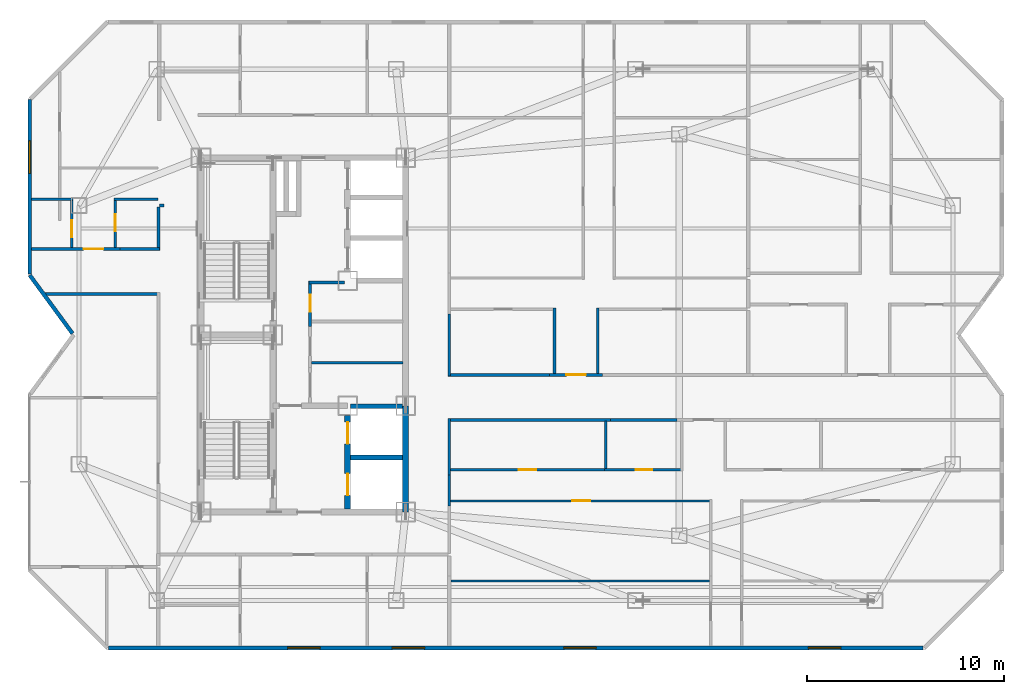
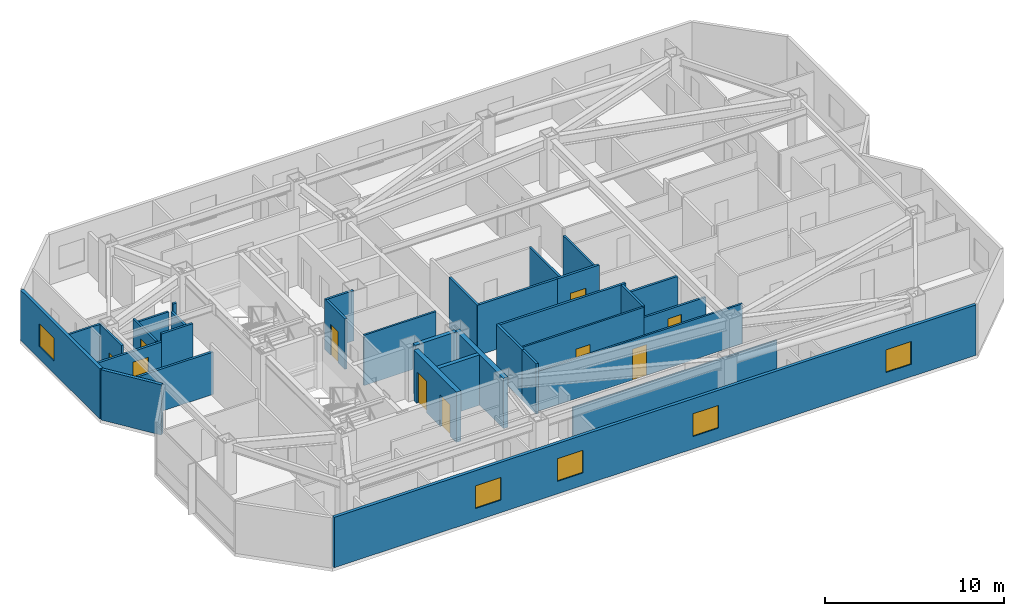
# One storey, part 9 of 14: 33 walls, 10 doors, 5 windows, 15 openings.
"""IFC4 building model written with IfcOpenShell, lengths in metres."""

from ifc_helpers import new_model, si_unit, direction, frame, frame_2d, origin, place, context, subcontext, project, spatial, rectangle, extrude, material, layer, layer_set, type_object, element, fill, save


model = new_model("IFC4")

# Units and contexts
model_context = context("Model", 3, precision=1e-05, world=origin(), true_north=direction((0.0, 1.0)))
body_context = subcontext(model_context, "Body", "Model", "MODEL_VIEW")
ifc_project = project(units=[si_unit("LENGTHUNIT", "METRE"), si_unit("AREAUNIT", "SQUARE_METRE"), si_unit("VOLUMEUNIT", "CUBIC_METRE"), si_unit("PLANEANGLEUNIT", "RADIAN"), si_unit("MASSUNIT", "GRAM", prefix="KILO")], contexts=[model_context])

# Site, building, storey
site_placement = place(None, origin())
site = spatial("IfcSite", under=ifc_project, at=site_placement, CompositionType="ELEMENT")
building_placement = place(site_placement, origin())
building = spatial("IfcBuilding", under=site, at=building_placement, Name="Khamvora Tower", CompositionType="ELEMENT")
storey_placement = place(building_placement, frame((0.0, 0.0, 231.800048828125)))
storey = spatial("IfcBuildingStorey", under=building, at=storey_placement, Name="L59", CompositionType="ELEMENT", Elevation=231.800048828125)

# Wall
ifc_material_1 = material(Name="Concrete C50/60", Category="concrete")
ifc_layer_1 = layer(ifc_material_1, 0.300048828125)
ifc_layer_set_1 = layer_set([ifc_layer_1], Name="Concrete C50/60")
wall_type_1 = type_object("IfcWallType", Name="WAL-CORE-300", PredefinedType="SHEAR", material=ifc_layer_set_1)
wall_1_placement = place(storey_placement, frame((39.39990234375, 19.0, 0.0), z_axis=(0.0, 0.0, 1.0), x_axis=(0.0, 1.0, 0.0)))
element("IfcWall", 1, at=wall_1_placement, inside=storey, type_object=wall_type_1, Name="L59 central core east south wall", PredefinedType="SHEAR", context=body_context, shape_type="SweptSolid", body=[
    extrude(rectangle(XDim=5.39990234375, YDim=0.300048828125, at=frame_2d((2.699951171875, 0.0))), origin(), (0.0, 0.0, 1.0), 3.429931640625),
])

# Wall, openings, doors
wall_2_placement = place(storey_placement, frame((36.449951171875, 19.154052734375, 0.0), z_axis=(0.0, 0.0, 1.0), x_axis=(0.0, 1.0, 0.0)))
wall_2 = element("IfcWall", 2, at=wall_2_placement, inside=storey, type_object=wall_type_1, Name="L59 central core lift bank south wall", PredefinedType="SHEAR", context=body_context, shape_type="SweptSolid", body=[
    extrude(rectangle(XDim=4.745849609375, YDim=0.300048828125, at=frame_2d((2.373046875, 0.0))), origin(), (0.0, 0.0, 1.0), 3.429931640625),
])
opening_1_placement = place(wall_2_placement, frame((0.696044921875, 0.0, 0.0)))
opening_1 = element("IfcOpeningElement", 3, at=opening_1_placement, cuts=wall_2, Name="Opening LD-FFL", PredefinedType="OPENING", context=body_context, shape_type="SweptSolid", body=[
    extrude(rectangle(XDim=1.10009765625, YDim=2.14990234375, at=frame_2d((0.550048828125, 1.074951171875))), frame((0.0, 0.159912109375, 0.0), z_axis=(0.0, -1.0, 0.0), x_axis=(1.0, 0.0, 0.0)), (0.0, 0.0, 1.0), 0.320068359375),
])
opening_2_placement = place(wall_2_placement, frame((3.31591796875, 0.0, 0.0)))
opening_2 = element("IfcOpeningElement", 4, at=opening_2_placement, cuts=wall_2, Name="Opening LD-FFL", PredefinedType="OPENING", context=body_context, shape_type="SweptSolid", body=[
    extrude(rectangle(XDim=1.10009765625, YDim=2.14990234375, at=frame_2d((0.550048828125, 1.074951171875))), frame((0.0, 0.159912109375, 0.0), z_axis=(0.0, -1.0, 0.0), x_axis=(1.0, 0.0, 0.0)), (0.0, 0.0, 1.0), 0.320068359375),
])
ifc_material_2 = material(Name="Powder-Coated Steel and Hardwood Leaf", Category="steel")
door_type_1 = type_object("IfcDoorType", Name="DOR-LIFT-1100", OperationType="SLIDING_TO_LEFT", PredefinedType="DOOR", material=ifc_material_2)
door_1_placement = place(opening_1_placement, origin())
door_1 = element("IfcDoor", 5, at=door_1_placement, inside=storey, type_object=door_type_1, Name="L59 lift landing sliding door FFL-01", OperationType="SLIDING_TO_LEFT", OverallHeight=2.14990234375, OverallWidth=1.10009765625, PredefinedType="DOOR", context=body_context, shape_type="SweptSolid", body=[
    extrude(rectangle(XDim=1.10009765625, YDim=2.14990234375, at=frame_2d((0.550048828125, 1.074951171875))), frame((0.0, 0.02490234375, 0.0), z_axis=(0.0, -1.0, 0.0), x_axis=(1.0, 0.0, 0.0)), (0.0, 0.0, 1.0), 0.050048828125),
])
fill(opening_1, door_1)
door_2_placement = place(opening_2_placement, origin())
door_2 = element("IfcDoor", 6, at=door_2_placement, inside=storey, type_object=door_type_1, Name="L59 lift landing sliding door FFL-02", OperationType="SLIDING_TO_LEFT", OverallHeight=2.14990234375, OverallWidth=1.10009765625, PredefinedType="DOOR", context=body_context, shape_type="SweptSolid", body=[
    extrude(rectangle(XDim=1.10009765625, YDim=2.14990234375, at=frame_2d((0.550048828125, 1.074951171875))), frame((0.0, 0.02490234375, 0.0), z_axis=(0.0, -1.0, 0.0), x_axis=(1.0, 0.0, 0.0)), (0.0, 0.0, 1.0), 0.050048828125),
])
fill(opening_2, door_2)

# Wall
ifc_material_3 = material(Name="Fire-Rated Drywall and Steel Stud", Category="steel")
ifc_layer_2 = layer(ifc_material_3, 0.14990234375)
ifc_layer_set_2 = layer_set([ifc_layer_2], Name="Fire-Rated Drywall and Steel Stud")
wall_type_2 = type_object("IfcWallType", Name="WAL-CORR-150", PredefinedType="STANDARD", material=ifc_layer_set_2)
wall_3_placement = place(storey_placement, frame((36.300048828125, 30.6650390625, 0.0), z_axis=(0.0, 0.0, 1.0), x_axis=(-1.0, 0.0, 0.0)))
element("IfcWall", 7, at=wall_3_placement, inside=storey, type_object=wall_type_2, Name="L59 interior partition wall 001", PredefinedType="STANDARD", context=body_context, shape_type="SweptSolid", body=[
    extrude(rectangle(XDim=1.820068359375, YDim=0.14990234375, at=frame_2d((0.91015625, 0.0))), origin(), (0.0, 0.0, 1.0), 3.429931640625),
])

# Wall, opening, door
wall_4_placement = place(storey_placement, frame((34.544921875, 30.72998046875, 0.0), z_axis=(0.0, 0.0, 1.0), x_axis=(0.0, -1.0, 0.0)))
wall_4 = element("IfcWall", 8, at=wall_4_placement, inside=storey, type_object=wall_type_2, Name="L59 interior partition wall 002", PredefinedType="STANDARD", context=body_context, shape_type="SweptSolid", body=[
    extrude(rectangle(XDim=2.2939453125, YDim=0.14990234375, at=frame_2d((1.14697265625, 0.0))), origin(), (0.0, 0.0, 1.0), 3.429931640625),
])
opening_3_placement = place(wall_4_placement, frame((0.700927734375, 0.0, 0.0)))
opening_3 = element("IfcOpeningElement", 9, at=opening_3_placement, cuts=wall_4, Name="Opening D-WC1", PredefinedType="OPENING", context=body_context, shape_type="SweptSolid", body=[
    extrude(rectangle(XDim=0.85009765625, YDim=2.10009765625, at=frame_2d((0.425048828125, 1.050048828125))), frame((0.0, 0.0849609375, 0.0), z_axis=(0.0, -1.0, 0.0), x_axis=(1.0, 0.0, 0.0)), (0.0, 0.0, 1.0), 0.169921875),
])
door_type_2 = type_object("IfcDoorType", Name="DOR-WET-850", OperationType="NOTDEFINED", PredefinedType="DOOR", material=ifc_material_2)
door_3_placement = place(opening_3_placement, origin())
door_3 = element("IfcDoor", 10, at=door_3_placement, inside=storey, type_object=door_type_2, Name="L59 interior door PHL-CS1", OperationType="SINGLE_SWING_LEFT", OverallHeight=2.10009765625, OverallWidth=0.85009765625, PredefinedType="DOOR", context=body_context, shape_type="SweptSolid", body=[
    extrude(rectangle(XDim=0.85009765625, YDim=2.10009765625, at=frame_2d((0.425048828125, 1.050048828125))), frame((0.0, 0.02490234375, 0.0), z_axis=(0.0, -1.0, 0.0), x_axis=(1.0, 0.0, 0.0)), (0.0, 0.0, 1.0), 0.050048828125),
])
fill(opening_3, door_3)

# Wall
wall_5_placement = place(storey_placement, frame((26.89794921875, 30.0849609375, 0.0), z_axis=(0.0, 0.0, 1.0), x_axis=(-1.0, 0.0, 0.0)))
element("IfcWall", 11, at=wall_5_placement, inside=storey, type_object=wall_type_2, Name="L59 interior partition wall 009", PredefinedType="STANDARD", context=body_context, shape_type="SweptSolid", body=[
    extrude(rectangle(XDim=5.8740234375, YDim=0.14990234375, at=frame_2d((2.93701171875, 0.0))), origin(), (0.0, 0.0, 1.0), 2.886962890625),
])

# Wall, opening, door
wall_6_placement = place(storey_placement, frame((20.39208984375, 32.364990234375, 0.0), z_axis=(0.0, 0.0, 1.0), x_axis=(1.0, 0.0, 0.0)))
wall_6 = element("IfcWall", 12, at=wall_6_placement, inside=storey, type_object=wall_type_2, Name="L59 interior partition wall 010", PredefinedType="STANDARD", context=body_context, shape_type="SweptSolid", body=[
    extrude(rectangle(XDim=4.496826171875, YDim=0.14990234375, at=frame_2d((2.24853515625, 0.0))), origin(), (0.0, 0.0, 1.0), 2.886962890625),
])
opening_4_placement = place(wall_6_placement, frame((2.64794921875, 0.0, 0.0)))
opening_4 = element("IfcOpeningElement", 13, at=opening_4_placement, cuts=wall_6, Name="Opening D-U1", PredefinedType="OPENING", context=body_context, shape_type="SweptSolid", body=[
    extrude(rectangle(XDim=1.0, YDim=2.14990234375, at=frame_2d((0.5, 1.074951171875))), frame((0.0, 0.0849609375, 0.0), z_axis=(0.0, -1.0, 0.0), x_axis=(1.0, 0.0, 0.0)), (0.0, 0.0, 1.0), 0.169921875),
])
door_type_3 = type_object("IfcDoorType", Name="DOR-UNIT-1000", OperationType="NOTDEFINED", PredefinedType="DOOR", material=ifc_material_2)
door_4_placement = place(opening_4_placement, origin())
door_4 = element("IfcDoor", 14, at=door_4_placement, inside=storey, type_object=door_type_3, Name="L59 interior door COR-59WBH", OperationType="SINGLE_SWING_LEFT", OverallHeight=2.14990234375, OverallWidth=1.0, PredefinedType="DOOR", context=body_context, shape_type="SweptSolid", body=[
    extrude(rectangle(XDim=1.0, YDim=2.14990234375, at=frame_2d((0.5, 1.074951171875))), frame((0.0, 0.02490234375, 0.0), z_axis=(0.0, -1.0, 0.0), x_axis=(1.0, 0.0, 0.0)), (0.0, 0.0, 1.0), 0.050048828125),
])
fill(opening_4, door_4)

# Walls
wall_7_placement = place(storey_placement, frame((24.888916015625, 32.364990234375, 0.0), z_axis=(0.0, 0.0, 1.0), x_axis=(1.0, 0.0, 0.0)))
element("IfcWall", 15, at=wall_7_placement, inside=storey, type_object=wall_type_2, Name="L59 interior partition wall 011", PredefinedType="STANDARD", context=body_context, shape_type="SweptSolid", body=[
    extrude(rectangle(XDim=2.010986328125, YDim=0.14990234375, at=frame_2d((1.00537109375, 0.0))), origin(), (0.0, 0.0, 1.0), 3.429931640625),
])
wall_8_placement = place(storey_placement, frame((26.8349609375, 32.300048828125, 0.0), z_axis=(0.0, 0.0, 1.0), x_axis=(0.0, 1.0, 0.0)))
element("IfcWall", 16, at=wall_8_placement, inside=storey, type_object=wall_type_2, Name="L59 interior partition wall 012", PredefinedType="STANDARD", context=body_context, shape_type="SweptSolid", body=[
    extrude(rectangle(XDim=2.199951171875, YDim=0.14990234375, at=frame_2d((1.10009765625, 0.0))), origin(), (0.0, 0.0, 1.0), 2.9609375),
])
wall_9_placement = place(storey_placement, frame((26.89990234375, 34.56494140625, 0.0), z_axis=(0.0, 0.0, 1.0), x_axis=(1.0, 0.0, 0.0)))
element("IfcWall", 17, at=wall_9_placement, inside=storey, type_object=wall_type_2, Name="L59 interior partition wall 013", PredefinedType="STANDARD", context=body_context, shape_type="SweptSolid", body=[
    extrude(rectangle(XDim=0.22412109375, YDim=0.14990234375, at=frame_2d((0.112060546875, 0.0))), origin(), (0.0, 0.0, 1.0), 3.429931640625),
])
wall_10_placement = place(storey_placement, frame((49.819091796875, 23.68505859375, 0.0), z_axis=(0.0, 0.0, 1.0), x_axis=(-1.0, 0.0, 0.0)))
element("IfcWall", 18, at=wall_10_placement, inside=storey, type_object=wall_type_2, Name="L59 interior partition wall 020", PredefinedType="STANDARD", context=body_context, shape_type="SweptSolid", body=[
    extrude(rectangle(XDim=8.26904296875, YDim=0.14990234375, at=frame_2d((4.134521484375, 0.0))), origin(), (0.0, 0.0, 1.0), 3.429931640625),
])
wall_11_placement = place(storey_placement, frame((41.614990234375, 23.75, 0.0), z_axis=(0.0, 0.0, 1.0), x_axis=(0.0, -1.0, 0.0)))
element("IfcWall", 19, at=wall_11_placement, inside=storey, type_object=wall_type_2, Name="L59 interior partition wall 021", PredefinedType="STANDARD", context=body_context, shape_type="SweptSolid", body=[
    extrude(rectangle(XDim=2.85595703125, YDim=0.14990234375, at=frame_2d((1.427978515625, 0.0))), origin(), (0.0, 0.0, 1.0), 3.429931640625),
])
wall_12_placement = place(storey_placement, frame((41.614990234375, 20.89404296875, 0.0), z_axis=(0.0, 0.0, 1.0), x_axis=(0.0, -1.0, 0.0)))
element("IfcWall", 20, at=wall_12_placement, inside=storey, type_object=wall_type_2, Name="L59 interior partition wall 024", PredefinedType="STANDARD", context=body_context, shape_type="SweptSolid", body=[
    extrude(rectangle(XDim=1.580078125, YDim=0.14990234375, at=frame_2d((0.7900390625, 0.0))), origin(), (0.0, 0.0, 1.0), 3.429931640625),
])
wall_13_placement = place(storey_placement, frame((53.18603515625, 23.68505859375, 0.0), z_axis=(0.0, 0.0, 1.0), x_axis=(-1.0, 0.0, 0.0)))
element("IfcWall", 21, at=wall_13_placement, inside=storey, type_object=wall_type_2, Name="L59 interior partition wall 025", PredefinedType="STANDARD", context=body_context, shape_type="SweptSolid", body=[
    extrude(rectangle(XDim=3.366943359375, YDim=0.14990234375, at=frame_2d((1.68359375, 0.0))), origin(), (0.0, 0.0, 1.0), 2.724853515625),
])

# Wall, opening, door
wall_14_placement = place(storey_placement, frame((46.7109375, 25.965087890625, 0.0), z_axis=(0.0, 0.0, 1.0), x_axis=(1.0, 0.0, 0.0)))
wall_14 = element("IfcWall", 22, at=wall_14_placement, inside=storey, type_object=wall_type_2, Name="L59 interior partition wall 029", PredefinedType="STANDARD", context=body_context, shape_type="SweptSolid", body=[
    extrude(rectangle(XDim=2.697998046875, YDim=0.14990234375, at=frame_2d((1.34912109375, 0.0))), origin(), (0.0, 0.0, 1.0), 3.429931640625),
])
opening_5_placement = place(wall_14_placement, frame((0.84912109375, 0.0, 0.0)))
opening_5 = element("IfcOpeningElement", 23, at=opening_5_placement, cuts=wall_14, Name="Opening D-U1", PredefinedType="OPENING", context=body_context, shape_type="SweptSolid", body=[
    extrude(rectangle(XDim=1.0, YDim=2.14990234375, at=frame_2d((0.5, 1.074951171875))), frame((0.0, 0.0849609375, 0.0), z_axis=(0.0, -1.0, 0.0), x_axis=(1.0, 0.0, 0.0)), (0.0, 0.0, 1.0), 0.169921875),
])
door_5_placement = place(opening_5_placement, origin())
door_5 = element("IfcDoor", 24, at=door_5_placement, inside=storey, type_object=door_type_3, Name="L59 interior door COR-59EB1H", OperationType="SINGLE_SWING_LEFT", OverallHeight=2.14990234375, OverallWidth=1.0, PredefinedType="DOOR", context=body_context, shape_type="SweptSolid", body=[
    extrude(rectangle(XDim=1.0, YDim=2.14990234375, at=frame_2d((0.5, 1.074951171875))), frame((0.0, 0.02490234375, 0.0), z_axis=(0.0, -1.0, 0.0), x_axis=(1.0, 0.0, 0.0)), (0.0, 0.0, 1.0), 0.050048828125),
])
fill(opening_5, door_5)

# Walls
wall_15_placement = place(storey_placement, frame((41.614990234375, 29.06103515625, 0.0), z_axis=(0.0, 0.0, 1.0), x_axis=(0.0, -1.0, 0.0)))
element("IfcWall", 25, at=wall_15_placement, inside=storey, type_object=wall_type_2, Name="L59 interior partition wall 030", PredefinedType="STANDARD", context=body_context, shape_type="SweptSolid", body=[
    extrude(rectangle(XDim=3.1611328125, YDim=0.14990234375, at=frame_2d((1.58056640625, 0.0))), origin(), (0.0, 0.0, 1.0), 3.429931640625),
])
wall_16_placement = place(storey_placement, frame((41.550048828125, 25.965087890625, 0.0), z_axis=(0.0, 0.0, 1.0), x_axis=(1.0, 0.0, 0.0)))
element("IfcWall", 26, at=wall_16_placement, inside=storey, type_object=wall_type_2, Name="L59 interior partition wall 031", PredefinedType="STANDARD", context=body_context, shape_type="SweptSolid", body=[
    extrude(rectangle(XDim=5.160888671875, YDim=0.14990234375, at=frame_2d((2.58056640625, 0.0))), origin(), (0.0, 0.0, 1.0), 3.429931640625),
])
ifc_material_4 = material(Name="Precast concrete C40/50", Category="concrete")
ifc_layer_3 = layer(ifc_material_4, 0.199951171875)
ifc_layer_set_3 = layer_set([ifc_layer_3], Name="Precast concrete C40/50")
wall_type_3 = type_object("IfcWallType", Name="WAL-EXT-200", PredefinedType="STANDARD", material=ifc_layer_set_3)
wall_17_placement = place(storey_placement, frame((22.472900390625, 28.069091796875, 0.0), z_axis=(0.0, 0.0, 1.0), x_axis=(-0.591248456881, 0.80648946815, 0.0)))
element("IfcWall", 27, at=wall_17_placement, inside=storey, type_object=wall_type_3, Name="L59 exterior facade wall 04.1", PredefinedType="STANDARD", context=body_context, shape_type="SweptSolid", body=[
    extrude(rectangle(XDim=3.675048828125, YDim=0.199951171875, at=frame_2d((1.83740234375, 0.0))), origin(), (0.0, 0.0, 1.0), 3.429931640625),
])

# Wall, opening, window
wall_18_placement = place(storey_placement, frame((20.300048828125, 31.083984375, 0.0), z_axis=(0.0, 0.0, 1.0), x_axis=(0.0, 1.0, 0.0)))
wall_18 = element("IfcWall", 28, at=wall_18_placement, inside=storey, type_object=wall_type_3, Name="L59 exterior facade wall 05.1", PredefinedType="STANDARD", context=body_context, shape_type="SweptSolid", body=[
    extrude(rectangle(XDim=8.875, YDim=0.199951171875, at=frame_2d((4.4375, 0.0))), origin(), (0.0, 0.0, 1.0), 3.429931640625),
])
opening_6_placement = place(wall_18_placement, frame((5.126953125, 0.0, 0.85009765625)))
opening_6 = element("IfcOpeningElement", 29, at=opening_6_placement, cuts=wall_18, Name="Opening WN-06", PredefinedType="OPENING", context=body_context, shape_type="SweptSolid", body=[
    extrude(rectangle(XDim=1.64990234375, YDim=1.550048828125, at=frame_2d((0.824951171875, 0.77490234375))), frame((0.0, 0.10986328125, 0.0), z_axis=(0.0, -1.0, 0.0), x_axis=(1.0, 0.0, 0.0)), (0.0, 0.0, 1.0), 0.219970703125),
])
ifc_material_5 = material(Name="Low-E Laminated Double Glazing", Category="glass")
window_type = type_object("IfcWindowType", Name="WIN-VIS-1650x1550", PartitioningType="SINGLE_PANEL", PredefinedType="WINDOW", material=ifc_material_5)
window_1_placement = place(opening_6_placement, origin())
window_1 = element("IfcWindow", 30, at=window_1_placement, inside=storey, type_object=window_type, Name="L59 vision window 05.1.01", OverallHeight=1.550048828125, OverallWidth=1.64990234375, PartitioningType="SINGLE_PANEL", PredefinedType="WINDOW", context=body_context, shape_type="SweptSolid", body=[
    extrude(rectangle(XDim=1.64990234375, YDim=1.550048828125, at=frame_2d((0.824951171875, 0.77490234375))), frame((0.0, 0.030029296875, 0.0), z_axis=(0.0, -1.0, 0.0), x_axis=(1.0, 0.0, 0.0)), (0.0, 0.0, 1.0), 0.06005859375),
])
fill(opening_6, window_1)

# Wall, openings, windows
wall_19_placement = place(storey_placement, frame((65.696044921875, 12.10009765625, 0.0), z_axis=(0.0, 0.0, 1.0), x_axis=(-1.0, 0.0, 0.0)))
wall_19 = element("IfcWall", 31, at=wall_19_placement, inside=storey, type_object=wall_type_3, Name="L59 exterior facade wall 14.1", PredefinedType="STANDARD", context=body_context, shape_type="SweptSolid", body=[
    extrude(rectangle(XDim=41.39306640625, YDim=0.199951171875, at=frame_2d((20.696533203125, 0.0))), origin(), (0.0, 0.0, 1.0), 3.429931640625),
])
opening_7_placement = place(wall_19_placement, frame((30.64599609375, 0.0, 0.85009765625)))
opening_7 = element("IfcOpeningElement", 32, at=opening_7_placement, cuts=wall_19, Name="Opening WN-06", PredefinedType="OPENING", context=body_context, shape_type="SweptSolid", body=[
    extrude(rectangle(XDim=1.64990234375, YDim=1.550048828125, at=frame_2d((0.824951171875, 0.77490234375))), frame((0.0, 0.10986328125, 0.0), z_axis=(0.0, -1.0, 0.0), x_axis=(1.0, 0.0, 0.0)), (0.0, 0.0, 1.0), 0.219970703125),
])
opening_8_placement = place(wall_19_placement, frame((25.339111328125, 0.0, 0.85009765625)))
opening_8 = element("IfcOpeningElement", 33, at=opening_8_placement, cuts=wall_19, Name="Opening WN-06", PredefinedType="OPENING", context=body_context, shape_type="SweptSolid", body=[
    extrude(rectangle(XDim=1.64990234375, YDim=1.550048828125, at=frame_2d((0.824951171875, 0.77490234375))), frame((0.0, 0.10986328125, 0.0), z_axis=(0.0, -1.0, 0.0), x_axis=(1.0, 0.0, 0.0)), (0.0, 0.0, 1.0), 0.219970703125),
])
opening_9_placement = place(wall_19_placement, frame((16.613037109375, 0.0, 0.85009765625)))
opening_9 = element("IfcOpeningElement", 34, at=opening_9_placement, cuts=wall_19, Name="Opening WN-06", PredefinedType="OPENING", context=body_context, shape_type="SweptSolid", body=[
    extrude(rectangle(XDim=1.64990234375, YDim=1.550048828125, at=frame_2d((0.824951171875, 0.77490234375))), frame((0.0, 0.10986328125, 0.0), z_axis=(0.0, -1.0, 0.0), x_axis=(1.0, 0.0, 0.0)), (0.0, 0.0, 1.0), 0.219970703125),
])
opening_10_placement = place(wall_19_placement, frame((4.179931640625, 0.0, 0.85009765625)))
opening_10 = element("IfcOpeningElement", 35, at=opening_10_placement, cuts=wall_19, Name="Opening WN-06", PredefinedType="OPENING", context=body_context, shape_type="SweptSolid", body=[
    extrude(rectangle(XDim=1.64990234375, YDim=1.550048828125, at=frame_2d((0.824951171875, 0.77490234375))), frame((0.0, 0.10986328125, 0.0), z_axis=(0.0, -1.0, 0.0), x_axis=(1.0, 0.0, 0.0)), (0.0, 0.0, 1.0), 0.219970703125),
])
window_2_placement = place(opening_7_placement, origin())
window_2 = element("IfcWindow", 36, at=window_2_placement, inside=storey, type_object=window_type, Name="L59 vision window 14.1.01", OverallHeight=1.550048828125, OverallWidth=1.64990234375, PartitioningType="SINGLE_PANEL", PredefinedType="WINDOW", context=body_context, shape_type="SweptSolid", body=[
    extrude(rectangle(XDim=1.64990234375, YDim=1.550048828125, at=frame_2d((0.824951171875, 0.77490234375))), frame((0.0, 0.030029296875, 0.0), z_axis=(0.0, -1.0, 0.0), x_axis=(1.0, 0.0, 0.0)), (0.0, 0.0, 1.0), 0.06005859375),
])
fill(opening_7, window_2)
window_3_placement = place(opening_8_placement, origin())
window_3 = element("IfcWindow", 37, at=window_3_placement, inside=storey, type_object=window_type, Name="L59 vision window 14.1.02", OverallHeight=1.550048828125, OverallWidth=1.64990234375, PartitioningType="SINGLE_PANEL", PredefinedType="WINDOW", context=body_context, shape_type="SweptSolid", body=[
    extrude(rectangle(XDim=1.64990234375, YDim=1.550048828125, at=frame_2d((0.824951171875, 0.77490234375))), frame((0.0, 0.030029296875, 0.0), z_axis=(0.0, -1.0, 0.0), x_axis=(1.0, 0.0, 0.0)), (0.0, 0.0, 1.0), 0.06005859375),
])
fill(opening_8, window_3)
window_4_placement = place(opening_9_placement, origin())
window_4 = element("IfcWindow", 38, at=window_4_placement, inside=storey, type_object=window_type, Name="L59 vision window 14.1.03", OverallHeight=1.550048828125, OverallWidth=1.64990234375, PartitioningType="SINGLE_PANEL", PredefinedType="WINDOW", context=body_context, shape_type="SweptSolid", body=[
    extrude(rectangle(XDim=1.64990234375, YDim=1.550048828125, at=frame_2d((0.824951171875, 0.77490234375))), frame((0.0, 0.030029296875, 0.0), z_axis=(0.0, -1.0, 0.0), x_axis=(1.0, 0.0, 0.0)), (0.0, 0.0, 1.0), 0.06005859375),
])
fill(opening_9, window_4)
window_5_placement = place(opening_10_placement, origin())
window_5 = element("IfcWindow", 39, at=window_5_placement, inside=storey, type_object=window_type, Name="L59 vision window 14.1.04", OverallHeight=1.550048828125, OverallWidth=1.64990234375, PartitioningType="SINGLE_PANEL", PredefinedType="WINDOW", context=body_context, shape_type="SweptSolid", body=[
    extrude(rectangle(XDim=1.64990234375, YDim=1.550048828125, at=frame_2d((0.824951171875, 0.77490234375))), frame((0.0, 0.030029296875, 0.0), z_axis=(0.0, -1.0, 0.0), x_axis=(1.0, 0.0, 0.0)), (0.0, 0.0, 1.0), 0.06005859375),
])
fill(opening_10, window_5)

# Wall
ifc_material_6 = material(Name="Gypsum Plasterboard Partition", Category="gypsum")
ifc_layer_4 = layer(ifc_material_6, 0.1201171875)
ifc_layer_set_4 = layer_set([ifc_layer_4], Name="Gypsum Plasterboard Partition")
wall_type_4 = type_object("IfcWallType", Name="WAL-PART-120", PredefinedType="PARTITIONING", material=ifc_layer_set_4)
wall_20_placement = place(storey_placement, frame((39.256103515625, 26.5849609375, 0.0), z_axis=(0.0, 0.0, 1.0), x_axis=(-1.0, 0.0, 0.0)))
element("IfcWall", 40, at=wall_20_placement, inside=storey, type_object=wall_type_4, Name="L59 interior partition wall 006", PredefinedType="PARTITIONING", context=body_context, shape_type="SweptSolid", body=[
    extrude(rectangle(XDim=4.64404296875, YDim=0.1201171875, at=frame_2d((2.322021484375, 0.0))), origin(), (0.0, 0.0, 1.0), 3.429931640625),
])

# Wall, opening, door
wall_21_placement = place(storey_placement, frame((49.5048828125, 21.14306640625, 0.0), z_axis=(0.0, 0.0, 1.0), x_axis=(-1.0, 0.0, 0.0)))
wall_21 = element("IfcWall", 41, at=wall_21_placement, inside=storey, type_object=wall_type_4, Name="L59 interior partition wall 063", PredefinedType="PARTITIONING", context=body_context, shape_type="SweptSolid", body=[
    extrude(rectangle(XDim=7.822998046875, YDim=0.1201171875, at=frame_2d((3.91162109375, 0.0))), origin(), (0.0, 0.0, 1.0), 3.429931640625),
])
opening_11_placement = place(wall_21_placement, frame((3.4619140625, 0.0, 0.0)))
opening_11 = element("IfcOpeningElement", 42, at=opening_11_placement, cuts=wall_21, Name="Opening D-RM1", PredefinedType="OPENING", context=body_context, shape_type="SweptSolid", body=[
    extrude(rectangle(XDim=0.89990234375, YDim=2.10009765625, at=frame_2d((0.449951171875, 1.050048828125))), frame((0.0, 0.070068359375, 0.0), z_axis=(0.0, -1.0, 0.0), x_axis=(1.0, 0.0, 0.0)), (0.0, 0.0, 1.0), 0.14013671875),
])
door_type_4 = type_object("IfcDoorType", Name="DOR-ROOM-900", OperationType="NOTDEFINED", PredefinedType="DOOR", material=ifc_material_2)
door_6_placement = place(opening_11_placement, origin())
door_6 = element("IfcDoor", 43, at=door_6_placement, inside=storey, type_object=door_type_4, Name="L59 interior door 59EAW1-59EAH", OperationType="SINGLE_SWING_RIGHT", OverallHeight=2.10009765625, OverallWidth=0.89990234375, PredefinedType="DOOR", context=body_context, shape_type="SweptSolid", body=[
    extrude(rectangle(XDim=0.89990234375, YDim=2.10009765625, at=frame_2d((0.449951171875, 1.050048828125))), frame((0.0, 0.02490234375, 0.0), z_axis=(0.0, -1.0, 0.0), x_axis=(1.0, 0.0, 0.0)), (0.0, 0.0, 1.0), 0.050048828125),
])
fill(opening_11, door_6)

wall_22_placement = place(storey_placement, frame((54.965087890625, 19.56298828125, 0.0), z_axis=(0.0, 0.0, 1.0), x_axis=(-1.0, 0.0, 0.0)))
wall_22 = element("IfcWall", 44, at=wall_22_placement, inside=storey, type_object=wall_type_4, Name="L59 interior partition wall 073", PredefinedType="PARTITIONING", context=body_context, shape_type="SweptSolid", body=[
    extrude(rectangle(XDim=13.283203125, YDim=0.1201171875, at=frame_2d((6.6416015625, 0.0))), origin(), (0.0, 0.0, 1.0), 2.724853515625),
])
opening_12_placement = place(wall_22_placement, frame((6.19091796875, 0.0, 0.0)))
opening_12 = element("IfcOpeningElement", 45, at=opening_12_placement, cuts=wall_22, Name="Opening D-RM1", PredefinedType="OPENING", context=body_context, shape_type="SweptSolid", body=[
    extrude(rectangle(XDim=0.89990234375, YDim=2.10009765625, at=frame_2d((0.449951171875, 1.050048828125))), frame((0.0, 0.070068359375, 0.0), z_axis=(0.0, -1.0, 0.0), x_axis=(1.0, 0.0, 0.0)), (0.0, 0.0, 1.0), 0.14013671875),
])
door_7_placement = place(opening_12_placement, origin())
door_7 = element("IfcDoor", 46, at=door_7_placement, inside=storey, type_object=door_type_4, Name="L59 interior door 59EAH-59EAR2", OperationType="SINGLE_SWING_LEFT", OverallHeight=2.10009765625, OverallWidth=0.89990234375, PredefinedType="DOOR", context=body_context, shape_type="SweptSolid", body=[
    extrude(rectangle(XDim=0.89990234375, YDim=2.10009765625, at=frame_2d((0.449951171875, 1.050048828125))), frame((0.0, 0.02490234375, 0.0), z_axis=(0.0, -1.0, 0.0), x_axis=(1.0, 0.0, 0.0)), (0.0, 0.0, 1.0), 0.050048828125),
])
fill(opening_12, door_7)

# Walls
wall_23_placement = place(storey_placement, frame((41.697021484375, 15.4990234375, 0.0), z_axis=(0.0, 0.0, 1.0), x_axis=(1.0, 0.0, 0.0)))
element("IfcWall", 47, at=wall_23_placement, inside=storey, type_object=wall_type_4, Name="L59 interior partition wall 077", PredefinedType="PARTITIONING", context=body_context, shape_type="SweptSolid", body=[
    extrude(rectangle(XDim=13.14892578125, YDim=0.1201171875, at=frame_2d((6.574462890625, 0.0))), origin(), (0.0, 0.0, 1.0), 2.724853515625),
])
ifc_material_7 = material(Name="Concrete C40/50", Category="concrete")
ifc_layer_5 = layer(ifc_material_7, 0.25)
ifc_layer_set_5 = layer_set([ifc_layer_5], Name="Concrete C40/50")
wall_type_5 = type_object("IfcWallType", Name="WAL-PODS-250", PredefinedType="SHEAR", material=ifc_layer_set_5)
for number, where, z_axis, x_axis, name in (
    (48, (36.60400390625, 21.77490234375, 0.0), (0.0, 0.0, 1.0), (1.0, 0.0, 0.0), "L59 lift shaft divider wall FFL-01"),
    (49, (36.60400390625, 24.375, 0.0), (0.0, 0.0, 1.0), (1.0, 0.0, 0.0), "L59 lift shaft divider wall FFL-02"),
):
    element("IfcWall", number, at=place(storey_placement, frame(where, z_axis=z_axis, x_axis=x_axis)), inside=storey, type_object=wall_type_5, Name=name, PredefinedType="SHEAR", context=body_context, shape_type="SweptSolid", body=[
        extrude(rectangle(XDim=2.64208984375, YDim=0.25, at=frame_2d((1.321044921875, 0.0))), origin(), (0.0, 0.0, 1.0), 3.429931640625),
    ])

# Wall, opening, door
ifc_material_8 = material(Name="Moisture-Resistant Plasterboard Partition", Category="gypsum")
ifc_layer_6 = layer(ifc_material_8, 0.135009765625)
ifc_layer_set_6 = layer_set([ifc_layer_6], Name="Moisture-Resistant Plasterboard Partition")
wall_type_6 = type_object("IfcWallType", Name="WAL-WET-135", PredefinedType="PARTITIONING", material=ifc_layer_set_6)
wall_24_placement = place(storey_placement, frame((22.43994140625, 32.431884765625, 0.0), z_axis=(0.0, 0.0, 1.0), x_axis=(0.0, 1.0, 0.0)))
wall_24 = element("IfcWall", 50, at=wall_24_placement, inside=storey, type_object=wall_type_6, Name="L59 interior partition wall 044", PredefinedType="PARTITIONING", context=body_context, shape_type="SweptSolid", body=[
    extrude(rectangle(XDim=2.531005859375, YDim=0.135009765625, at=frame_2d((1.265625, 0.0))), origin(), (0.0, 0.0, 1.0), 3.429931640625),
])
opening_13_placement = place(wall_24_placement, frame((0.541015625, 0.0, 0.0)))
opening_13 = element("IfcOpeningElement", 51, at=opening_13_placement, cuts=wall_24, Name="Opening D-WC1", PredefinedType="OPENING", context=body_context, shape_type="SweptSolid", body=[
    extrude(rectangle(XDim=0.85009765625, YDim=2.10009765625, at=frame_2d((0.425048828125, 1.050048828125))), frame((0.0, 0.077392578125, 0.0), z_axis=(0.0, -1.0, 0.0), x_axis=(1.0, 0.0, 0.0)), (0.0, 0.0, 1.0), 0.155029296875),
])
door_8_placement = place(opening_13_placement, origin())
door_8 = element("IfcDoor", 52, at=door_8_placement, inside=storey, type_object=door_type_2, Name="L59 interior door 59WBH-59WBB", OperationType="SINGLE_SWING_LEFT", OverallHeight=2.10009765625, OverallWidth=0.85009765625, PredefinedType="DOOR", context=body_context, shape_type="SweptSolid", body=[
    extrude(rectangle(XDim=0.85009765625, YDim=2.10009765625, at=frame_2d((0.425048828125, 1.050048828125))), frame((0.0, 0.02490234375, 0.0), z_axis=(0.0, -1.0, 0.0), x_axis=(1.0, 0.0, 0.0)), (0.0, 0.0, 1.0), 0.050048828125),
])
fill(opening_13, door_8)

# Walls
wall_25_placement = place(storey_placement, frame((22.5048828125, 34.89794921875, 0.0), z_axis=(0.0, 0.0, 1.0), x_axis=(-1.0, 0.0, 0.0)))
element("IfcWall", 53, at=wall_25_placement, inside=storey, type_object=wall_type_6, Name="L59 interior partition wall 045", PredefinedType="PARTITIONING", context=body_context, shape_type="SweptSolid", body=[
    extrude(rectangle(XDim=2.11279296875, YDim=0.135009765625, at=frame_2d((1.056396484375, 0.0))), origin(), (0.0, 0.0, 1.0), 3.429931640625),
])
wall_26_placement = place(storey_placement, frame((26.81005859375, 34.89794921875, 0.0), z_axis=(0.0, 0.0, 1.0), x_axis=(-1.0, 0.0, 0.0)))
element("IfcWall", 54, at=wall_26_placement, inside=storey, type_object=wall_type_6, Name="L59 interior partition wall 046", PredefinedType="PARTITIONING", context=body_context, shape_type="SweptSolid", body=[
    extrude(rectangle(XDim=2.235107421875, YDim=0.135009765625, at=frame_2d((1.11767578125, 0.0))), origin(), (0.0, 0.0, 1.0), 2.724853515625),
])

# Wall, opening, door
wall_27_placement = place(storey_placement, frame((24.639892578125, 34.962890625, 0.0), z_axis=(0.0, 0.0, 1.0), x_axis=(0.0, -1.0, 0.0)))
wall_27 = element("IfcWall", 55, at=wall_27_placement, inside=storey, type_object=wall_type_6, Name="L59 interior partition wall 047", PredefinedType="PARTITIONING", context=body_context, shape_type="SweptSolid", body=[
    extrude(rectangle(XDim=2.531005859375, YDim=0.135009765625, at=frame_2d((1.265625, 0.0))), origin(), (0.0, 0.0, 1.0), 2.9609375),
])
opening_14_placement = place(wall_27_placement, frame((0.841064453125, 0.0, 0.0)))
opening_14 = element("IfcOpeningElement", 56, at=opening_14_placement, cuts=wall_27, Name="Opening D-RM2", PredefinedType="OPENING", context=body_context, shape_type="SweptSolid", body=[
    extrude(rectangle(XDim=0.85009765625, YDim=2.10009765625, at=frame_2d((0.425048828125, 1.050048828125))), frame((0.0, 0.077392578125, 0.0), z_axis=(0.0, -1.0, 0.0), x_axis=(1.0, 0.0, 0.0)), (0.0, 0.0, 1.0), 0.155029296875),
])
door_type_5 = type_object("IfcDoorType", Name="DOR-ROOM-850", OperationType="NOTDEFINED", PredefinedType="DOOR", material=ifc_material_2)
door_9_placement = place(opening_14_placement, origin())
door_9 = element("IfcDoor", 57, at=door_9_placement, inside=storey, type_object=door_type_5, Name="L59 interior door 59WBH-59WBK", OperationType="SINGLE_SWING_RIGHT", OverallHeight=2.10009765625, OverallWidth=0.85009765625, PredefinedType="DOOR", context=body_context, shape_type="SweptSolid", body=[
    extrude(rectangle(XDim=0.85009765625, YDim=2.10009765625, at=frame_2d((0.425048828125, 1.050048828125))), frame((0.0, 0.02490234375, 0.0), z_axis=(0.0, -1.0, 0.0), x_axis=(1.0, 0.0, 0.0)), (0.0, 0.0, 1.0), 0.050048828125),
])
fill(opening_14, door_9)

# Wall
wall_28_placement = place(storey_placement, frame((49.570068359375, 23.617919921875, 0.0), z_axis=(0.0, 0.0, 1.0), x_axis=(0.0, -1.0, 0.0)))
element("IfcWall", 58, at=wall_28_placement, inside=storey, type_object=wall_type_6, Name="L59 interior partition wall 064", PredefinedType="PARTITIONING", context=body_context, shape_type="SweptSolid", body=[
    extrude(rectangle(XDim=2.409912109375, YDim=0.135009765625, at=frame_2d((1.205078125, 0.0))), origin(), (0.0, 0.0, 1.0), 3.429931640625),
])

# Wall, opening, door
wall_29_placement = place(storey_placement, frame((49.5048828125, 21.14306640625, 0.0), z_axis=(0.0, 0.0, 1.0), x_axis=(1.0, 0.0, 0.0)))
wall_29 = element("IfcWall", 59, at=wall_29_placement, inside=storey, type_object=wall_type_6, Name="L59 interior partition wall 067", PredefinedType="PARTITIONING", context=body_context, shape_type="SweptSolid", body=[
    extrude(rectangle(XDim=3.9951171875, YDim=0.135009765625, at=frame_2d((1.99755859375, 0.0))), origin(), (0.0, 0.0, 1.0), 2.724853515625),
])
opening_15_placement = place(wall_29_placement, frame((1.572998046875, 0.0, 0.0)))
opening_15 = element("IfcOpeningElement", 60, at=opening_15_placement, cuts=wall_29, Name="Opening D-WC1", PredefinedType="OPENING", context=body_context, shape_type="SweptSolid", body=[
    extrude(rectangle(XDim=0.85009765625, YDim=2.10009765625, at=frame_2d((0.425048828125, 1.050048828125))), frame((0.0, 0.077392578125, 0.0), z_axis=(0.0, -1.0, 0.0), x_axis=(1.0, 0.0, 0.0)), (0.0, 0.0, 1.0), 0.155029296875),
])
door_10_placement = place(opening_15_placement, origin())
door_10 = element("IfcDoor", 61, at=door_10_placement, inside=storey, type_object=door_type_2, Name="L59 interior door 59EAH-59EAB", OperationType="SINGLE_SWING_RIGHT", OverallHeight=2.10009765625, OverallWidth=0.85009765625, PredefinedType="DOOR", context=body_context, shape_type="SweptSolid", body=[
    extrude(rectangle(XDim=0.85009765625, YDim=2.10009765625, at=frame_2d((0.425048828125, 1.050048828125))), frame((0.0, 0.02490234375, 0.0), z_axis=(0.0, -1.0, 0.0), x_axis=(1.0, 0.0, 0.0)), (0.0, 0.0, 1.0), 0.050048828125),
])
fill(opening_15, door_10)

# Walls
for number, where, z_axis, x_axis, name in (
    (62, (46.9599609375, 26.030029296875, 0.0), (0.0, 0.0, 1.0), (0.0, 1.0, 0.0), "L59 interior partition wall 079"),
    (63, (49.159912109375, 29.375, 0.0), (0.0, 0.0, 1.0), (0.0, -1.0, 0.0), "L59 interior partition wall 082"),
):
    element("IfcWall", number, at=place(storey_placement, frame(where, z_axis=z_axis, x_axis=x_axis)), inside=storey, type_object=wall_type_6, Name=name, PredefinedType="PARTITIONING", context=body_context, shape_type="SweptSolid", body=[
        extrude(rectangle(XDim=3.344970703125, YDim=0.135009765625, at=frame_2d((1.67236328125, 0.0))), origin(), (0.0, 0.0, 1.0), 3.429931640625),
    ])

save(model, "model.ifc")
